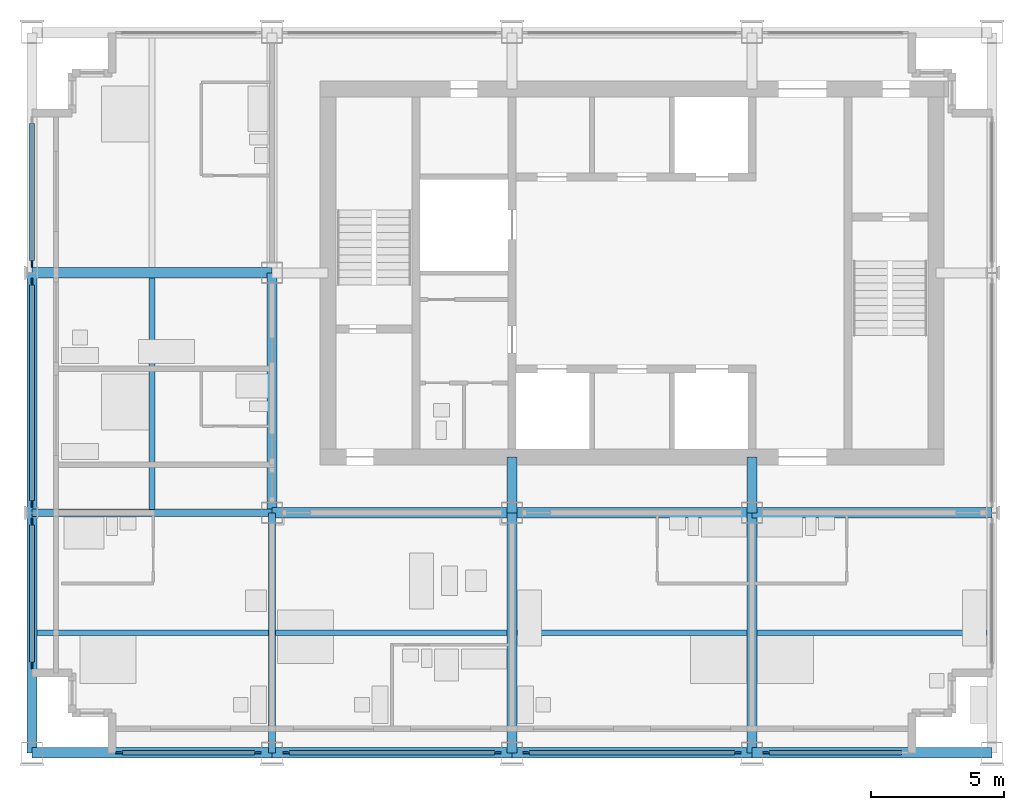
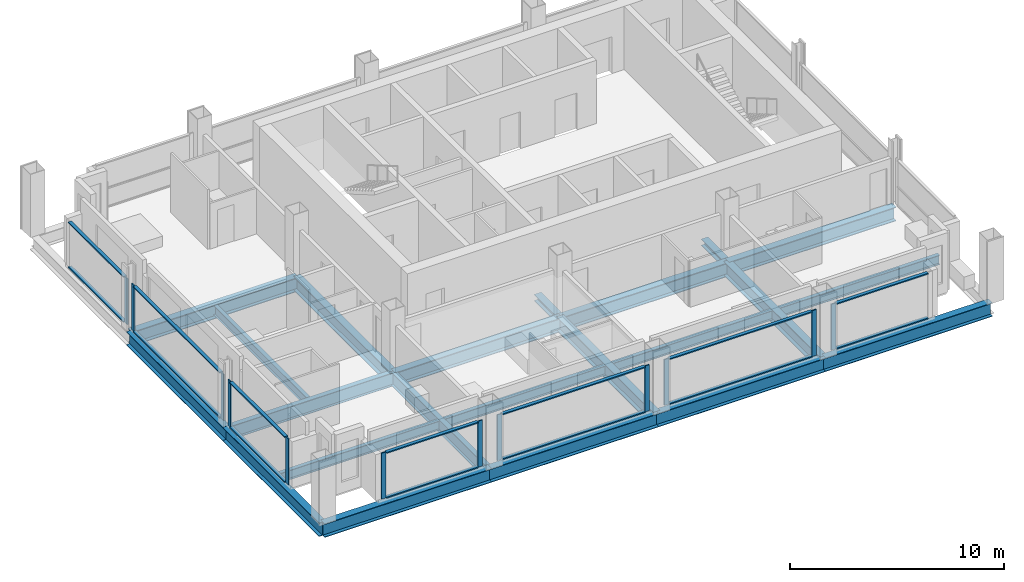
# One storey, part 2 of 11: 28 members, 20 beams, 7 elements without a shape of their own.
"""IFC4 building model written with IfcOpenShell, lengths in metres."""

from ifc_helpers import new_model, si_unit, direction, frame, origin, origin_2d, place, context, subcontext, project, spatial, rectangle, i_section, extrude, material, material_profile, profile_set, type_object, element, aggregate, save


model = new_model("IFC4")

# Units and contexts
model_context = context("Model", 3, precision=1e-05, world=origin(), true_north=direction((0.0, 1.0)))
body_context = subcontext(model_context, "Body", "Model", "MODEL_VIEW")
ifc_project = project(units=[si_unit("LENGTHUNIT", "METRE"), si_unit("AREAUNIT", "SQUARE_METRE"), si_unit("VOLUMEUNIT", "CUBIC_METRE"), si_unit("PLANEANGLEUNIT", "RADIAN"), si_unit("MASSUNIT", "GRAM", prefix="KILO")], contexts=[model_context])

# Site, building, storey
site_placement = place(None, origin())
site = spatial("IfcSite", under=ifc_project, at=site_placement, CompositionType="ELEMENT")
building_placement = place(site_placement, origin())
building = spatial("IfcBuilding", under=site, at=building_placement, Name="Loomwork Tower", CompositionType="ELEMENT")
storey_placement = place(building_placement, frame((0.0, 0.0, 248.199951171875)))
storey = spatial("IfcBuildingStorey", under=building, at=storey_placement, Name="L68", CompositionType="ELEMENT", Elevation=248.199951171875)

# Beams
ifc_material_1 = material(Name="Steel ASTM A992", Category="steel")
ifc_material_profile_1 = material_profile(ifc_material_1, i_section(OverallWidth=0.383544921875, OverallDepth=0.794921875, WebThickness=0.02099609375, FlangeThickness=0.0380859375, at=origin_2d()), Name="W30x235")
ifc_profile_set_1 = profile_set([ifc_material_profile_1], Name="Steel ASTM A992")
beam_type_1 = type_object("IfcBeamType", Name="CORE FLANK GIRDER W30x235", PredefinedType="BEAM", material=ifc_profile_set_1)
for number, where, z_axis, x_axis, name in (
    (1, (9.0, 9.0, -0.597412109375), (1.0, 0.0, 0.0), (0.0, 1.0, 0.0), "Core Flank Girder E/3-E/4 L68"),
    (2, (18.0, 9.0, -0.597412109375), (1.0, 0.0, 0.0), (0.0, 1.0, 0.0), "Core Flank Girder E/4-E/5 L68"),
    (3, (27.0, 9.0, -0.597412109375), (1.0, 0.0, 0.0), (0.0, 1.0, 0.0), "Core Flank Girder E/5-E/6 L68"),
    (4, (0.0, 18.0, -0.597412109375), (1.0, 0.0, 0.0), (0.0, 1.0, 0.0), "Core Flank Girder F/2-F/3 L68"),
    (5, (9.0, 9.0, -0.597412109375), (0.0, 1.0, 0.0), (-1.0, 0.0, 0.0), "Core Flank Girder E/3-F/3 L68"),
    (6, (18.0, 0.0, -0.597412109375), (0.0, 1.0, 0.0), (-1.0, 0.0, 0.0), "Core Flank Girder D/4-E/4 L68"),
    (7, (27.0, 0.0, -0.597412109375), (0.0, 1.0, 0.0), (-1.0, 0.0, 0.0), "Core Flank Girder D/5-E/5 L68"),
):
    element("IfcBeam", number, at=place(storey_placement, frame(where, z_axis=z_axis, x_axis=x_axis)), inside=storey, type_object=beam_type_1, Name=name, PredefinedType="BEAM", context=body_context, shape_type="SweptSolid", body=[
        extrude(i_section(OverallWidth=0.383544921875, OverallDepth=0.794921875, WebThickness=0.02099609375, FlangeThickness=0.0380859375, at=origin_2d()), origin(), (0.0, 0.0, 1.0), 9.0),
    ])

# Members
ifc_material_2 = material(Name="Steel ASTM A992", Category="steel")
ifc_material_profile_2 = material_profile(ifc_material_2, i_section(OverallWidth=0.373291015625, OverallDepth=0.373291015625, WebThickness=0.016357421875, FlangeThickness=0.026123046875, at=origin_2d()), Name="W14x132")
ifc_profile_set_2 = profile_set([ifc_material_profile_2], Name="Steel ASTM A992")
member_type_1 = type_object("IfcMemberType", Name="CORE LINK STRUT W14x132", PredefinedType="STRUT", material=ifc_profile_set_2)
for number, where, z_axis, x_axis, name in (
    (8, (18.0, 9.0, -0.38671875), (0.0, 1.0, 0.0), (-1.0, 0.0, 0.0), "Core link strut E/4-18.000,11.100 L68"),
    (9, (27.0, 9.0, -0.38671875), (0.0, 1.0, 0.0), (-1.0, 0.0, 0.0), "Core link strut E/5-27.000,11.100 L68"),
):
    element("IfcMember", number, at=place(storey_placement, frame(where, z_axis=z_axis, x_axis=x_axis)), inside=storey, type_object=member_type_1, Name=name, PredefinedType="STRUT", context=body_context, shape_type="SweptSolid", body=[
        extrude(i_section(OverallWidth=0.373291015625, OverallDepth=0.373291015625, WebThickness=0.016357421875, FlangeThickness=0.026123046875, at=origin_2d()), origin(), (0.0, 0.0, 1.0), 2.10009765625),
    ])

# Beams
ifc_material_3 = material(Name="Steel ASTM A992", Category="steel")
ifc_material_profile_3 = material_profile(ifc_material_3, i_section(OverallWidth=0.2666015625, OverallDepth=0.761962890625, WebThickness=0.014404296875, FlangeThickness=0.021484375, at=origin_2d()), Name="W30x116")
ifc_profile_set_3 = profile_set([ifc_material_profile_3], Name="Steel ASTM A992")
beam_type_2 = type_object("IfcBeamType", Name="FLOOR GIRDER W30x116", PredefinedType="BEAM", material=ifc_profile_set_3)
for number, where, z_axis, x_axis, name in (
    (10, (0.0, 9.0, -0.5810546875), (1.0, 0.0, 0.0), (0.0, 1.0, 0.0), "Floor Girder E/2-E/3 L68"),
    (11, (9.0, 0.0, -0.5810546875), (0.0, 1.0, 0.0), (-1.0, 0.0, 0.0), "Floor Girder D/3-E/3 L68"),
):
    element("IfcBeam", number, at=place(storey_placement, frame(where, z_axis=z_axis, x_axis=x_axis)), inside=storey, type_object=beam_type_2, Name=name, PredefinedType="BEAM", context=body_context, shape_type="SweptSolid", body=[
        extrude(i_section(OverallWidth=0.2666015625, OverallDepth=0.761962890625, WebThickness=0.014404296875, FlangeThickness=0.021484375, at=origin_2d()), origin(), (0.0, 0.0, 1.0), 9.0),
    ])
ifc_material_4 = material(Name="Steel ASTM A992", Category="steel")
ifc_material_profile_4 = material_profile(ifc_material_4, i_section(OverallWidth=0.2109375, OverallDepth=0.53857421875, WebThickness=0.011474609375, FlangeThickness=0.018798828125, at=origin_2d()), Name="W21x73")
ifc_profile_set_4 = profile_set([ifc_material_profile_4], Name="Steel ASTM A992")
beam_type_3 = type_object("IfcBeamType", Name="FLOOR JOIST W21x73", PredefinedType="JOIST", material=ifc_profile_set_4)
beam_1_placement = place(storey_placement, frame((0.18994140625, 4.5, -0.46923828125), z_axis=(1.0, 0.0, 0.0), x_axis=(0.0, 1.0, 0.0)))
element("IfcBeam", 12, at=beam_1_placement, inside=storey, type_object=beam_type_3, Name="Floor Joist 0.000,4.500-9.000,4.500 L68", PredefinedType="JOIST", context=body_context, shape_type="SweptSolid", body=[
    extrude(i_section(OverallWidth=0.2109375, OverallDepth=0.53857421875, WebThickness=0.011474609375, FlangeThickness=0.018798828125, at=origin_2d()), origin(), (0.0, 0.0, 1.0), 8.677001953125),
])
for number, where, z_axis, x_axis, name in (
    (13, (4.5, 9.133056640625, -0.46923828125), (0.0, 1.0, 0.0), (-1.0, 0.0, 0.0), "Floor Joist 4.500,9.000-4.500,18.000 L68"),
    (14, (9.133056640625, 4.5, -0.46923828125), (1.0, 0.0, 0.0), (0.0, 1.0, 0.0), "Floor Joist 9.000,4.500-18.000,4.500 L68"),
):
    element("IfcBeam", number, at=place(storey_placement, frame(where, z_axis=z_axis, x_axis=x_axis)), inside=storey, type_object=beam_type_3, Name=name, PredefinedType="JOIST", context=body_context, shape_type="SweptSolid", body=[
        extrude(i_section(OverallWidth=0.2109375, OverallDepth=0.53857421875, WebThickness=0.011474609375, FlangeThickness=0.018798828125, at=origin_2d()), origin(), (0.0, 0.0, 1.0), 8.676025390625),
    ])
beam_2_placement = place(storey_placement, frame((18.19091796875, 4.5, -0.46923828125), z_axis=(1.0, 0.0, 0.0), x_axis=(0.0, 1.0, 0.0)))
element("IfcBeam", 15, at=beam_2_placement, inside=storey, type_object=beam_type_3, Name="Floor Joist 18.000,4.500-27.000,4.500 L68", PredefinedType="JOIST", context=body_context, shape_type="SweptSolid", body=[
    extrude(i_section(OverallWidth=0.2109375, OverallDepth=0.53857421875, WebThickness=0.011474609375, FlangeThickness=0.018798828125, at=origin_2d()), origin(), (0.0, 0.0, 1.0), 8.6181640625),
])
beam_3_placement = place(storey_placement, frame((27.19091796875, 4.5, -0.46923828125), z_axis=(1.0, 0.0, 0.0), x_axis=(0.0, 1.0, 0.0)))
element("IfcBeam", 16, at=beam_3_placement, inside=storey, type_object=beam_type_3, Name="Floor Joist 27.000,4.500-36.000,4.500 L68", PredefinedType="JOIST", context=body_context, shape_type="SweptSolid", body=[
    extrude(i_section(OverallWidth=0.2109375, OverallDepth=0.53857421875, WebThickness=0.011474609375, FlangeThickness=0.018798828125, at=origin_2d()), origin(), (0.0, 0.0, 1.0), 8.619140625),
])

# Curtain wall, members
ifc_material_5 = material(Name="Aluminium curtain wall frame", Category="aluminium")
curtain_wall_type = type_object("IfcCurtainWallType", Name="Outer skin glazing suites", PredefinedType="NOTDEFINED", material=ifc_material_5)
curtain_wall_1_placement = place(storey_placement, origin())
curtain_wall_1 = element("IfcCurtainWall", 17, at=curtain_wall_1_placement, inside=storey, type_object=curtain_wall_type, Name="Outer skin glazing suites cw/S-0", PredefinedType="NOTDEFINED")
ifc_material_6 = material(Name="Aluminium curtain wall frame", Category="aluminium")
ifc_material_profile_5 = material_profile(ifc_material_6, rectangle(XDim=0.06494140625, YDim=0.25, at=origin_2d()), Name="AL 65x250")
ifc_profile_set_5 = profile_set([ifc_material_profile_5], Name="Aluminium curtain wall frame")
member_type_2 = type_object("IfcMemberType", Name="Outer skin glazing suites mullion", PredefinedType="MULLION", material=ifc_profile_set_5)
member_1_placement = place(storey_placement, frame((3.27490234375, 0.0, 0.0), z_axis=(0.0, 0.0, 1.0), x_axis=(0.0, 1.0, 0.0)))
member_1 = element("IfcMember", 18, at=member_1_placement, type_object=member_type_2, Name="CW2 mullion 1", PredefinedType="MULLION", context=body_context, shape_type="SweptSolid", body=[
    extrude(rectangle(XDim=0.06494140625, YDim=0.25, at=origin_2d()), origin(), (0.0, 0.0, 1.0), 2.620361328125),
])
member_2_placement = place(storey_placement, frame((8.47509765625, 0.0, 0.0), z_axis=(0.0, 0.0, 1.0), x_axis=(0.0, 1.0, 0.0)))
member_2 = element("IfcMember", 19, at=member_2_placement, type_object=member_type_2, Name="CW2 mullion 2", PredefinedType="MULLION", context=body_context, shape_type="SweptSolid", body=[
    extrude(rectangle(XDim=0.06494140625, YDim=0.25, at=origin_2d()), origin(), (0.0, 0.0, 1.0), 2.620361328125),
])

curtain_wall_2_placement = place(storey_placement, origin())
curtain_wall_2 = element("IfcCurtainWall", 20, at=curtain_wall_2_placement, inside=storey, type_object=curtain_wall_type, Name="Outer skin glazing suites cw/S-9", PredefinedType="NOTDEFINED")
member_3_placement = place(storey_placement, frame((9.52490234375, 0.0, 0.0), z_axis=(0.0, 0.0, 1.0), x_axis=(0.0, 1.0, 0.0)))
member_3 = element("IfcMember", 21, at=member_3_placement, type_object=member_type_2, Name="CW2 mullion 1", PredefinedType="MULLION", context=body_context, shape_type="SweptSolid", body=[
    extrude(rectangle(XDim=0.06494140625, YDim=0.25, at=origin_2d()), origin(), (0.0, 0.0, 1.0), 2.620361328125),
])
member_4_placement = place(storey_placement, frame((17.47509765625, 0.0, 0.0), z_axis=(0.0, 0.0, 1.0), x_axis=(0.0, 1.0, 0.0)))
member_4 = element("IfcMember", 22, at=member_4_placement, type_object=member_type_2, Name="CW2 mullion 2", PredefinedType="MULLION", context=body_context, shape_type="SweptSolid", body=[
    extrude(rectangle(XDim=0.06494140625, YDim=0.25, at=origin_2d()), origin(), (0.0, 0.0, 1.0), 2.620361328125),
])

curtain_wall_3_placement = place(storey_placement, origin())
curtain_wall_3 = element("IfcCurtainWall", 23, at=curtain_wall_3_placement, inside=storey, type_object=curtain_wall_type, Name="Outer skin glazing suites cw/S-18", PredefinedType="NOTDEFINED")
member_5_placement = place(storey_placement, frame((18.52490234375, 0.0, 0.0), z_axis=(0.0, 0.0, 1.0), x_axis=(0.0, 1.0, 0.0)))
member_5 = element("IfcMember", 24, at=member_5_placement, type_object=member_type_2, Name="CW2 mullion 1", PredefinedType="MULLION", context=body_context, shape_type="SweptSolid", body=[
    extrude(rectangle(XDim=0.06494140625, YDim=0.25, at=origin_2d()), origin(), (0.0, 0.0, 1.0), 2.620361328125),
])
member_6_placement = place(storey_placement, frame((26.47509765625, 0.0, 0.0), z_axis=(0.0, 0.0, 1.0), x_axis=(0.0, 1.0, 0.0)))
member_6 = element("IfcMember", 25, at=member_6_placement, type_object=member_type_2, Name="CW2 mullion 2", PredefinedType="MULLION", context=body_context, shape_type="SweptSolid", body=[
    extrude(rectangle(XDim=0.06494140625, YDim=0.25, at=origin_2d()), origin(), (0.0, 0.0, 1.0), 2.620361328125),
])

# Curtain wall, member
curtain_wall_4_placement = place(storey_placement, origin())
curtain_wall_4 = element("IfcCurtainWall", 26, at=curtain_wall_4_placement, inside=storey, type_object=curtain_wall_type, Name="Outer skin glazing suites cw/S-27", PredefinedType="NOTDEFINED")
member_7_placement = place(storey_placement, frame((27.52490234375, 0.0, 0.0), z_axis=(0.0, 0.0, 1.0), x_axis=(0.0, 1.0, 0.0)))
member_7 = element("IfcMember", 27, at=member_7_placement, type_object=member_type_2, Name="CW2 mullion 1", PredefinedType="MULLION", context=body_context, shape_type="SweptSolid", body=[
    extrude(rectangle(XDim=0.06494140625, YDim=0.25, at=origin_2d()), origin(), (0.0, 0.0, 1.0), 2.620361328125),
])

# Curtain wall, members
curtain_wall_5_placement = place(storey_placement, origin())
curtain_wall_5 = element("IfcCurtainWall", 28, at=curtain_wall_5_placement, inside=storey, type_object=curtain_wall_type, Name="Outer skin glazing suites cw/W-0", PredefinedType="NOTDEFINED")
member_8_placement = place(storey_placement, frame((0.0, 8.666748046875, 0.0), z_axis=(0.0, 0.0, 1.0), x_axis=(1.0, 0.0, 0.0)))
member_8 = element("IfcMember", 29, at=member_8_placement, type_object=member_type_2, Name="CW2 mullion 1", PredefinedType="MULLION", context=body_context, shape_type="SweptSolid", body=[
    extrude(rectangle(XDim=0.06494140625, YDim=0.25, at=origin_2d()), origin(), (0.0, 0.0, 1.0), 2.620361328125),
])
member_9_placement = place(storey_placement, frame((0.0, 3.27490234375, 0.0), z_axis=(0.0, 0.0, 1.0), x_axis=(1.0, 0.0, 0.0)))
member_9 = element("IfcMember", 30, at=member_9_placement, type_object=member_type_2, Name="CW2 mullion 2", PredefinedType="MULLION", context=body_context, shape_type="SweptSolid", body=[
    extrude(rectangle(XDim=0.06494140625, YDim=0.25, at=origin_2d()), origin(), (0.0, 0.0, 1.0), 2.620361328125),
])

curtain_wall_6_placement = place(storey_placement, origin())
curtain_wall_6 = element("IfcCurtainWall", 31, at=curtain_wall_6_placement, inside=storey, type_object=curtain_wall_type, Name="Outer skin glazing suites cw/W-9", PredefinedType="NOTDEFINED")
member_10_placement = place(storey_placement, frame((0.0, 17.666748046875, 0.0), z_axis=(0.0, 0.0, 1.0), x_axis=(1.0, 0.0, 0.0)))
member_10 = element("IfcMember", 32, at=member_10_placement, type_object=member_type_2, Name="CW2 mullion 1", PredefinedType="MULLION", context=body_context, shape_type="SweptSolid", body=[
    extrude(rectangle(XDim=0.06494140625, YDim=0.25, at=origin_2d()), origin(), (0.0, 0.0, 1.0), 2.620361328125),
])
member_11_placement = place(storey_placement, frame((0.0, 9.333251953125, 0.0), z_axis=(0.0, 0.0, 1.0), x_axis=(1.0, 0.0, 0.0)))
member_11 = element("IfcMember", 33, at=member_11_placement, type_object=member_type_2, Name="CW2 mullion 2", PredefinedType="MULLION", context=body_context, shape_type="SweptSolid", body=[
    extrude(rectangle(XDim=0.06494140625, YDim=0.25, at=origin_2d()), origin(), (0.0, 0.0, 1.0), 2.620361328125),
])

# Curtain wall, member
curtain_wall_7_placement = place(storey_placement, origin())
curtain_wall_7 = element("IfcCurtainWall", 34, at=curtain_wall_7_placement, inside=storey, type_object=curtain_wall_type, Name="Outer skin glazing suites cw/W-18", PredefinedType="NOTDEFINED")
member_12_placement = place(storey_placement, frame((0.0, 18.333251953125, 0.0), z_axis=(0.0, 0.0, 1.0), x_axis=(1.0, 0.0, 0.0)))
member_12 = element("IfcMember", 35, at=member_12_placement, type_object=member_type_2, Name="CW2 mullion 2", PredefinedType="MULLION", context=body_context, shape_type="SweptSolid", body=[
    extrude(rectangle(XDim=0.06494140625, YDim=0.25, at=origin_2d()), origin(), (0.0, 0.0, 1.0), 2.620361328125),
])

# Member
ifc_material_7 = material(Name="Aluminium curtain wall frame", Category="aluminium")
ifc_material_profile_6 = material_profile(ifc_material_7, rectangle(XDim=0.179931640625, YDim=0.06494140625, at=origin_2d()), Name="AL 65x180")
ifc_profile_set_6 = profile_set([ifc_material_profile_6], Name="Aluminium curtain wall frame")
member_type_3 = type_object("IfcMemberType", Name="Outer skin glazing suites transom", PredefinedType="USERDEFINED", material=ifc_profile_set_6)
member_13_placement = place(storey_placement, frame((3.39990234375, 0.0, 0.032470703125), z_axis=(1.0, 0.0, 0.0), x_axis=(0.0, 1.0, 0.0)))
member_13 = element("IfcMember", 36, at=member_13_placement, type_object=member_type_3, Name="CW2 transom 1.1", ObjectType="TRANSOM", PredefinedType="USERDEFINED", context=body_context, shape_type="SweptSolid", body=[
    extrude(rectangle(XDim=0.179931640625, YDim=0.06494140625, at=origin_2d()), origin(), (0.0, 0.0, 1.0), 4.9501953125),
])

member_14_placement = place(storey_placement, frame((3.39990234375, 0.0, 2.587646484375), z_axis=(1.0, 0.0, 0.0), x_axis=(0.0, 1.0, 0.0)))
member_14 = element("IfcMember", 37, at=member_14_placement, type_object=member_type_3, Name="CW2 transom 1.2", ObjectType="TRANSOM", PredefinedType="USERDEFINED", context=body_context, shape_type="SweptSolid", body=[
    extrude(rectangle(XDim=0.179931640625, YDim=0.06494140625, at=origin_2d()), origin(), (0.0, 0.0, 1.0), 4.9501953125),
])

aggregate(curtain_wall_1, [member_1, member_2, member_13, member_14])

member_15_placement = place(storey_placement, frame((9.64990234375, 0.0, 0.032470703125), z_axis=(1.0, 0.0, 0.0), x_axis=(0.0, 1.0, 0.0)))
member_15 = element("IfcMember", 38, at=member_15_placement, type_object=member_type_3, Name="CW2 transom 1.1", ObjectType="TRANSOM", PredefinedType="USERDEFINED", context=body_context, shape_type="SweptSolid", body=[
    extrude(rectangle(XDim=0.179931640625, YDim=0.06494140625, at=origin_2d()), origin(), (0.0, 0.0, 1.0), 7.7001953125),
])

member_16_placement = place(storey_placement, frame((9.64990234375, 0.0, 2.587646484375), z_axis=(1.0, 0.0, 0.0), x_axis=(0.0, 1.0, 0.0)))
member_16 = element("IfcMember", 39, at=member_16_placement, type_object=member_type_3, Name="CW2 transom 1.2", ObjectType="TRANSOM", PredefinedType="USERDEFINED", context=body_context, shape_type="SweptSolid", body=[
    extrude(rectangle(XDim=0.179931640625, YDim=0.06494140625, at=origin_2d()), origin(), (0.0, 0.0, 1.0), 7.7001953125),
])

aggregate(curtain_wall_2, [member_3, member_4, member_15, member_16])

member_17_placement = place(storey_placement, frame((18.64990234375, 0.0, 0.032470703125), z_axis=(1.0, 0.0, 0.0), x_axis=(0.0, 1.0, 0.0)))
member_17 = element("IfcMember", 40, at=member_17_placement, type_object=member_type_3, Name="CW2 transom 1.1", ObjectType="TRANSOM", PredefinedType="USERDEFINED", context=body_context, shape_type="SweptSolid", body=[
    extrude(rectangle(XDim=0.179931640625, YDim=0.06494140625, at=origin_2d()), origin(), (0.0, 0.0, 1.0), 7.7001953125),
])

member_18_placement = place(storey_placement, frame((18.64990234375, 0.0, 2.587646484375), z_axis=(1.0, 0.0, 0.0), x_axis=(0.0, 1.0, 0.0)))
member_18 = element("IfcMember", 41, at=member_18_placement, type_object=member_type_3, Name="CW2 transom 1.2", ObjectType="TRANSOM", PredefinedType="USERDEFINED", context=body_context, shape_type="SweptSolid", body=[
    extrude(rectangle(XDim=0.179931640625, YDim=0.06494140625, at=origin_2d()), origin(), (0.0, 0.0, 1.0), 7.7001953125),
])

aggregate(curtain_wall_3, [member_5, member_6, member_17, member_18])

member_19_placement = place(storey_placement, frame((27.64990234375, 0.0, 0.032470703125), z_axis=(1.0, 0.0, 0.0), x_axis=(0.0, 1.0, 0.0)))
member_19 = element("IfcMember", 42, at=member_19_placement, type_object=member_type_3, Name="CW2 transom 1.1", ObjectType="TRANSOM", PredefinedType="USERDEFINED", context=body_context, shape_type="SweptSolid", body=[
    extrude(rectangle(XDim=0.179931640625, YDim=0.06494140625, at=origin_2d()), origin(), (0.0, 0.0, 1.0), 4.9501953125),
])

member_20_placement = place(storey_placement, frame((27.64990234375, 0.0, 2.587646484375), z_axis=(1.0, 0.0, 0.0), x_axis=(0.0, 1.0, 0.0)))
member_20 = element("IfcMember", 43, at=member_20_placement, type_object=member_type_3, Name="CW2 transom 1.2", ObjectType="TRANSOM", PredefinedType="USERDEFINED", context=body_context, shape_type="SweptSolid", body=[
    extrude(rectangle(XDim=0.179931640625, YDim=0.06494140625, at=origin_2d()), origin(), (0.0, 0.0, 1.0), 4.9501953125),
])

aggregate(curtain_wall_4, [member_7, member_19, member_20])

member_21_placement = place(storey_placement, frame((0.0, 8.541748046875, 0.032470703125), z_axis=(0.0, -1.0, 0.0), x_axis=(1.0, 0.0, 0.0)))
member_21 = element("IfcMember", 44, at=member_21_placement, type_object=member_type_3, Name="CW2 transom 1.1", ObjectType="TRANSOM", PredefinedType="USERDEFINED", context=body_context, shape_type="SweptSolid", body=[
    extrude(rectangle(XDim=0.179931640625, YDim=0.06494140625, at=origin_2d()), origin(), (0.0, 0.0, 1.0), 5.141845703125),
])

member_22_placement = place(storey_placement, frame((0.0, 8.541748046875, 2.587646484375), z_axis=(0.0, -1.0, 0.0), x_axis=(1.0, 0.0, 0.0)))
member_22 = element("IfcMember", 45, at=member_22_placement, type_object=member_type_3, Name="CW2 transom 1.2", ObjectType="TRANSOM", PredefinedType="USERDEFINED", context=body_context, shape_type="SweptSolid", body=[
    extrude(rectangle(XDim=0.179931640625, YDim=0.06494140625, at=origin_2d()), origin(), (0.0, 0.0, 1.0), 5.141845703125),
])

aggregate(curtain_wall_5, [member_8, member_9, member_21, member_22])

member_23_placement = place(storey_placement, frame((0.0, 17.541748046875, 0.032470703125), z_axis=(0.0, -1.0, 0.0), x_axis=(1.0, 0.0, 0.0)))
member_23 = element("IfcMember", 46, at=member_23_placement, type_object=member_type_3, Name="CW2 transom 1.1", ObjectType="TRANSOM", PredefinedType="USERDEFINED", context=body_context, shape_type="SweptSolid", body=[
    extrude(rectangle(XDim=0.179931640625, YDim=0.06494140625, at=origin_2d()), origin(), (0.0, 0.0, 1.0), 8.08349609375),
])

member_24_placement = place(storey_placement, frame((0.0, 17.541748046875, 2.587646484375), z_axis=(0.0, -1.0, 0.0), x_axis=(1.0, 0.0, 0.0)))
member_24 = element("IfcMember", 47, at=member_24_placement, type_object=member_type_3, Name="CW2 transom 1.2", ObjectType="TRANSOM", PredefinedType="USERDEFINED", context=body_context, shape_type="SweptSolid", body=[
    extrude(rectangle(XDim=0.179931640625, YDim=0.06494140625, at=origin_2d()), origin(), (0.0, 0.0, 1.0), 8.08349609375),
])

aggregate(curtain_wall_6, [member_10, member_11, member_23, member_24])

member_25_placement = place(storey_placement, frame((0.0, 23.60009765625, 0.032470703125), z_axis=(0.0, -1.0, 0.0), x_axis=(1.0, 0.0, 0.0)))
member_25 = element("IfcMember", 48, at=member_25_placement, type_object=member_type_3, Name="CW2 transom 1.1", ObjectType="TRANSOM", PredefinedType="USERDEFINED", context=body_context, shape_type="SweptSolid", body=[
    extrude(rectangle(XDim=0.179931640625, YDim=0.06494140625, at=origin_2d()), origin(), (0.0, 0.0, 1.0), 5.141845703125),
])

member_26_placement = place(storey_placement, frame((0.0, 23.60009765625, 2.587646484375), z_axis=(0.0, -1.0, 0.0), x_axis=(1.0, 0.0, 0.0)))
member_26 = element("IfcMember", 49, at=member_26_placement, type_object=member_type_3, Name="CW2 transom 1.2", ObjectType="TRANSOM", PredefinedType="USERDEFINED", context=body_context, shape_type="SweptSolid", body=[
    extrude(rectangle(XDim=0.179931640625, YDim=0.06494140625, at=origin_2d()), origin(), (0.0, 0.0, 1.0), 5.141845703125),
])

aggregate(curtain_wall_7, [member_12, member_25, member_26])

# Beams
ifc_material_8 = material(Name="Steel ASTM A992", Category="steel")
ifc_material_profile_7 = material_profile(ifc_material_8, i_section(OverallWidth=0.381103515625, OverallDepth=0.77978515625, WebThickness=0.01806640625, FlangeThickness=0.0302734375, at=origin_2d()), Name="W30x191")
ifc_profile_set_7 = profile_set([ifc_material_profile_7], Name="Steel ASTM A992")
beam_type_4 = type_object("IfcBeamType", Name="SPANDREL GIRDER W30x191", PredefinedType="SPANDREL", material=ifc_profile_set_7)
for number, where, z_axis, x_axis, name in (
    (50, (0.0, 0.0, -0.58984375), (1.0, 0.0, 0.0), (0.0, 1.0, 0.0), "Spandrel Girder D/2-D/3 L68"),
    (51, (9.0, 0.0, -0.58984375), (1.0, 0.0, 0.0), (0.0, 1.0, 0.0), "Spandrel Girder D/3-D/4 L68"),
    (52, (18.0, 0.0, -0.58984375), (1.0, 0.0, 0.0), (0.0, 1.0, 0.0), "Spandrel Girder D/4-D/5 L68"),
    (53, (27.0, 0.0, -0.58984375), (1.0, 0.0, 0.0), (0.0, 1.0, 0.0), "Spandrel Girder D/5-D/6 L68"),
    (54, (0.0, 0.0, -0.58984375), (0.0, 1.0, 0.0), (-1.0, 0.0, 0.0), "Spandrel Girder D/2-E/2 L68"),
    (55, (0.0, 9.0, -0.58984375), (0.0, 1.0, 0.0), (-1.0, 0.0, 0.0), "Spandrel Girder E/2-F/2 L68"),
):
    element("IfcBeam", number, at=place(storey_placement, frame(where, z_axis=z_axis, x_axis=x_axis)), inside=storey, type_object=beam_type_4, Name=name, PredefinedType="SPANDREL", context=body_context, shape_type="SweptSolid", body=[
        extrude(i_section(OverallWidth=0.381103515625, OverallDepth=0.77978515625, WebThickness=0.01806640625, FlangeThickness=0.0302734375, at=origin_2d()), origin(), (0.0, 0.0, 1.0), 9.0),
    ])

save(model, "model.ifc")
